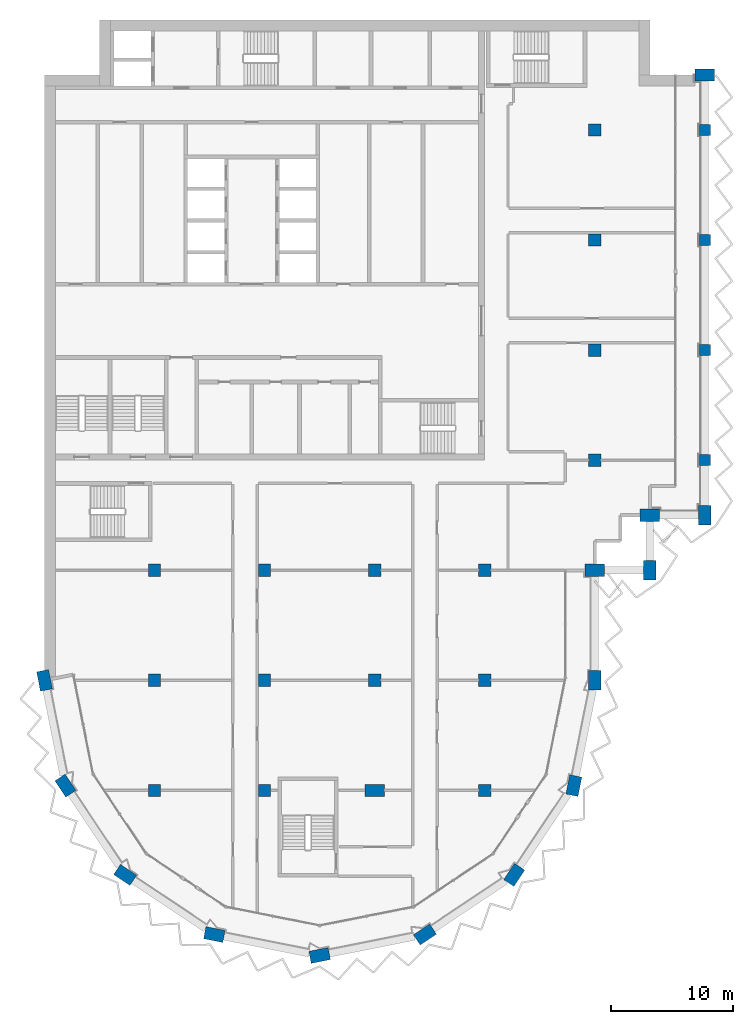
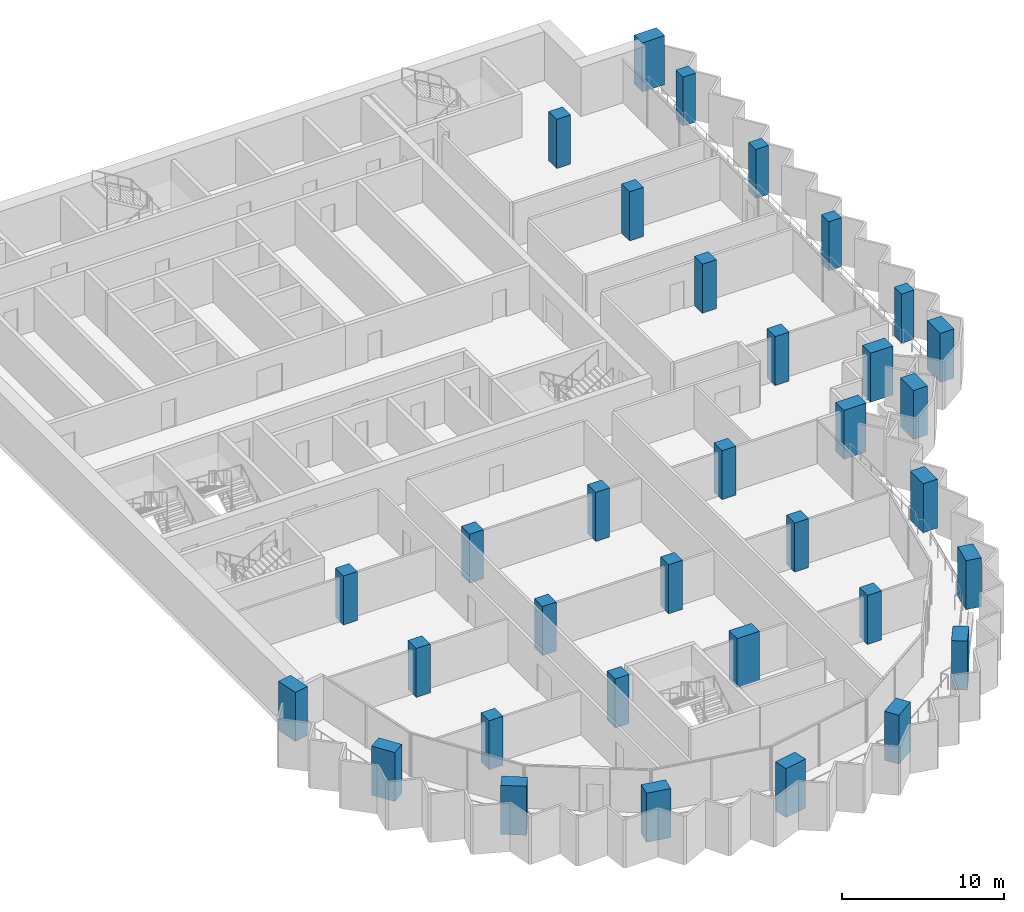
# One storey, part 1 of 16: 34 columns.
"""IFC4 building model written with IfcOpenShell, lengths in metres."""

from ifc_helpers import new_model, si_unit, direction, frame, origin, origin_2d, place, context, subcontext, project, spatial, rectangle, extrude, material, material_profile, profile_set, type_object, element, save


model = new_model("IFC4")

# Units and contexts
model_context = context("Model", 3, precision=1e-05, world=origin(), true_north=direction((0.0, 1.0)))
body_context = subcontext(model_context, "Body", "Model", "MODEL_VIEW")
ifc_project = project(units=[si_unit("LENGTHUNIT", "METRE"), si_unit("AREAUNIT", "SQUARE_METRE"), si_unit("VOLUMEUNIT", "CUBIC_METRE"), si_unit("PLANEANGLEUNIT", "RADIAN"), si_unit("MASSUNIT", "GRAM", prefix="KILO")], contexts=[model_context])

# Site, building, storey
site_placement = place(None, origin())
site = spatial("IfcSite", under=ifc_project, at=site_placement, CompositionType="ELEMENT")
building_placement = place(site_placement, origin())
building = spatial("IfcBuilding", under=site, at=building_placement, Name="Hunhe Ridgeline Campus", CompositionType="ELEMENT")
storey_placement = place(building_placement, frame((0.0, 0.0, 250.300048828125)))
storey = spatial("IfcBuildingStorey", under=building, at=storey_placement, Name="L64", CompositionType="ELEMENT", Elevation=250.300048828125)

# Columns
ifc_material = material(Name="Concrete C60", Category="concrete")
ifc_material_profile_1 = material_profile(ifc_material, rectangle(XDim=1.60009765625, YDim=1.0, at=origin_2d()))
ifc_profile_set_1 = profile_set([ifc_material_profile_1], Name="Concrete C60")
column_type_1 = type_object("IfcColumnType", Name="Megacolumn 1600x1000 Concrete C60", PredefinedType="COLUMN", material=ifc_profile_set_1)
for number, where, z_axis, x_axis, name in (
    (1, (22.5, 22.5, 0.0), (0.0, 0.0, 1.0), (0.980785280403, 0.195090322016, 0.0), "Column C14 R13 L64"),
    (2, (13.8896484375, 24.212646484375, 0.0), (0.0, 0.0, 1.0), (-0.980785280403, 0.195090322016, 0.0), "Column C14 R14 L64"),
    (3, (31.1103515625, 24.212646484375, 0.0), (0.0, 0.0, 1.0), (0.831469612303, 0.55557023302, 0.0), "Column C14 R15 L64"),
    (4, (6.590087890625, 29.090087890625, 0.0), (0.0, 0.0, 1.0), (-0.831469612303, 0.55557023302, 0.0), "Column C14 R18 L64"),
    (5, (38.409912109375, 29.090087890625, 0.0), (0.0, 0.0, 1.0), (0.55557023302, 0.831469612303, 0.0), "Column C14 R19 L64"),
    (6, (1.712646484375, 36.3896484375, 0.0), (0.0, 0.0, 1.0), (-0.55557023302, 0.831469612303, 0.0), "Column C14 R23 L64"),
    (7, (43.287353515625, 36.3896484375, 0.0), (0.0, 0.0, 1.0), (0.195090322016, 0.980785280403, 0.0), "Column C14 R24 L64"),
    (8, (0.0, 45.0, 0.0), (0.0, 0.0, 1.0), (-0.195090322016, 0.980785280403, 0.0), "Column C14 F1 L64"),
    (9, (45.0, 45.0, 0.0), (0.0, 0.0, 1.0), (0.0, 1.0, 0.0), "Column C14 F6 L64"),
    (10, (45.0, 54.0, 0.0), (0.0, 0.0, 1.0), (1.0, 0.0, 0.0), "Column C14 G6 L64"),
    (11, (49.5, 54.0, 0.0), (0.0, 0.0, 1.0), (0.0, 1.0, 0.0), "Column C14 R29 L64"),
    (12, (49.5, 58.5, 0.0), (0.0, 0.0, 1.0), (1.0, 0.0, 0.0), "Column C14 R33 L64"),
    (13, (54.0, 58.5, 0.0), (0.0, 0.0, 1.0), (0.0, 1.0, 0.0), "Column C14 R34 L64"),
    (14, (54.0, 94.5, 0.0), (0.0, 0.0, 1.0), (1.0, 0.0, 0.0), "Column C14 R41 L64"),
    (15, (27.0, 36.0, 0.0), (0.0, 0.0, 1.0), (1.0, 0.0, 0.0), "Column C14 E4 L64"),
):
    element("IfcColumn", number, at=place(storey_placement, frame(where, z_axis=z_axis, x_axis=x_axis)), inside=storey, type_object=column_type_1, Name=name, PredefinedType="COLUMN", context=body_context, shape_type="SweptSolid", body=[
        extrude(rectangle(XDim=1.60009765625, YDim=1.0, at=origin_2d()), origin(), (0.0, 0.0, 1.0), 3.699951171875),
    ])
ifc_material_profile_2 = material_profile(ifc_material, rectangle(XDim=1.0, YDim=1.0, at=origin_2d()))
ifc_profile_set_2 = profile_set([ifc_material_profile_2], Name="Concrete C60")
column_type_2 = type_object("IfcColumnType", Name="RC column 1000x1000 Concrete C60", PredefinedType="COLUMN", material=ifc_profile_set_2)
for number, where, z_axis, x_axis, name in (
    (16, (9.0, 36.0, 0.0), (0.0, 0.0, 1.0), (1.0, 0.0, 0.0), "Column C12 E2 L64"),
    (17, (9.0, 45.0, 0.0), (0.0, 0.0, 1.0), (1.0, 0.0, 0.0), "Column C12 F2 L64"),
    (18, (9.0, 54.0, 0.0), (0.0, 0.0, 1.0), (1.0, 0.0, 0.0), "Column C12 G2 L64"),
    (19, (18.0, 36.0, 0.0), (0.0, 0.0, 1.0), (1.0, 0.0, 0.0), "Column C12 E3 L64"),
    (20, (18.0, 45.0, 0.0), (0.0, 0.0, 1.0), (1.0, 0.0, 0.0), "Column C12 F3 L64"),
    (21, (18.0, 54.0, 0.0), (0.0, 0.0, 1.0), (1.0, 0.0, 0.0), "Column C12 G3 L64"),
    (22, (27.0, 45.0, 0.0), (0.0, 0.0, 1.0), (1.0, 0.0, 0.0), "Column C12 F4 L64"),
    (23, (27.0, 54.0, 0.0), (0.0, 0.0, 1.0), (1.0, 0.0, 0.0), "Column C12 G4 L64"),
    (24, (36.0, 36.0, 0.0), (0.0, 0.0, 1.0), (1.0, 0.0, 0.0), "Column C12 E5 L64"),
    (25, (36.0, 45.0, 0.0), (0.0, 0.0, 1.0), (1.0, 0.0, 0.0), "Column C12 F5 L64"),
    (26, (36.0, 54.0, 0.0), (0.0, 0.0, 1.0), (1.0, 0.0, 0.0), "Column C12 G5 L64"),
    (27, (45.0, 63.0, 0.0), (0.0, 0.0, 1.0), (1.0, 0.0, 0.0), "Column C12 H6 L64"),
    (28, (45.0, 72.0, 0.0), (0.0, 0.0, 1.0), (1.0, 0.0, 0.0), "Column C12 I6 L64"),
    (29, (45.0, 81.0, 0.0), (0.0, 0.0, 1.0), (1.0, 0.0, 0.0), "Column C12 J6 L64"),
    (30, (45.0, 90.0, 0.0), (0.0, 0.0, 1.0), (1.0, 0.0, 0.0), "Column C12 K6 L64"),
):
    element("IfcColumn", number, at=place(storey_placement, frame(where, z_axis=z_axis, x_axis=x_axis)), inside=storey, type_object=column_type_2, Name=name, PredefinedType="COLUMN", context=body_context, shape_type="SweptSolid", body=[
        extrude(rectangle(XDim=1.0, YDim=1.0, at=origin_2d()), origin(), (0.0, 0.0, 1.0), 3.699951171875),
    ])
ifc_material_profile_3 = material_profile(ifc_material, rectangle(XDim=0.89990234375, YDim=0.89990234375, at=origin_2d()))
ifc_profile_set_3 = profile_set([ifc_material_profile_3], Name="Concrete C60")
column_type_3 = type_object("IfcColumnType", Name="RC column 900x900 Concrete C60", PredefinedType="COLUMN", material=ifc_profile_set_3)
for number, where, z_axis, x_axis, name in (
    (31, (54.0, 63.0, 0.0), (0.0, 0.0, 1.0), (1.0, 0.0, 0.0), "Column C15 H7 L64"),
    (32, (54.0, 72.0, 0.0), (0.0, 0.0, 1.0), (1.0, 0.0, 0.0), "Column C15 I7 L64"),
    (33, (54.0, 81.0, 0.0), (0.0, 0.0, 1.0), (1.0, 0.0, 0.0), "Column C15 J7 L64"),
    (34, (54.0, 90.0, 0.0), (0.0, 0.0, 1.0), (1.0, 0.0, 0.0), "Column C15 K7 L64"),
):
    element("IfcColumn", number, at=place(storey_placement, frame(where, z_axis=z_axis, x_axis=x_axis)), inside=storey, type_object=column_type_3, Name=name, PredefinedType="COLUMN", context=body_context, shape_type="SweptSolid", body=[
        extrude(rectangle(XDim=0.89990234375, YDim=0.89990234375, at=origin_2d()), origin(), (0.0, 0.0, 1.0), 3.699951171875),
    ])

save(model, "model.ifc")
